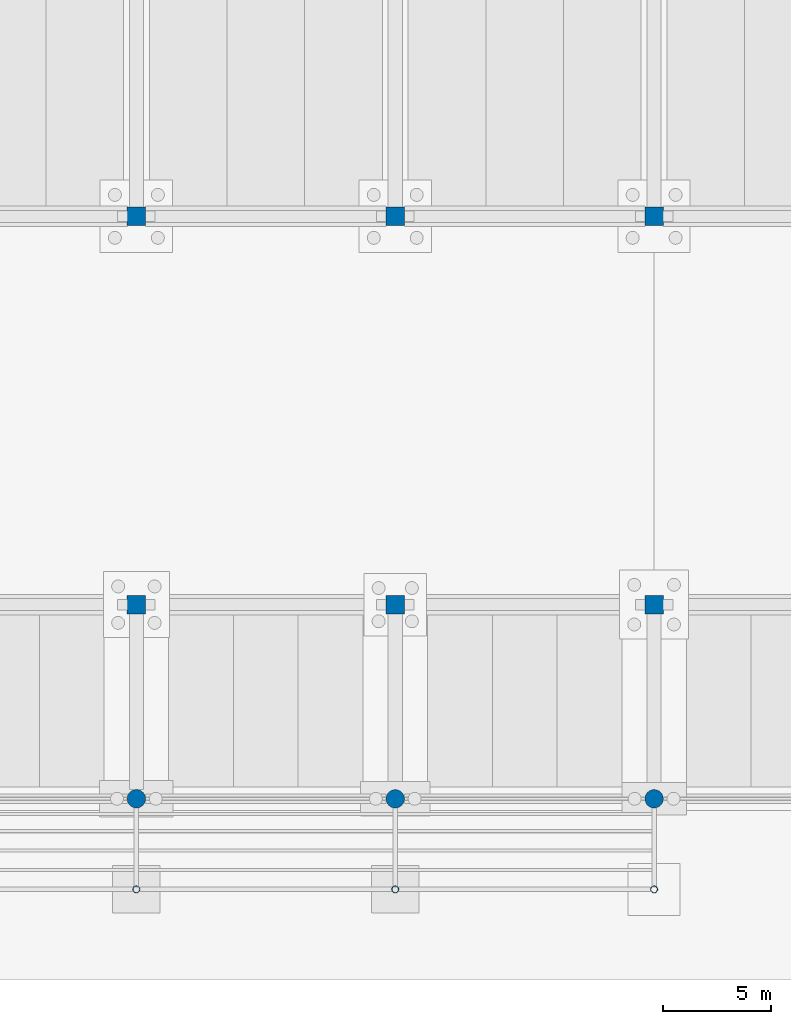
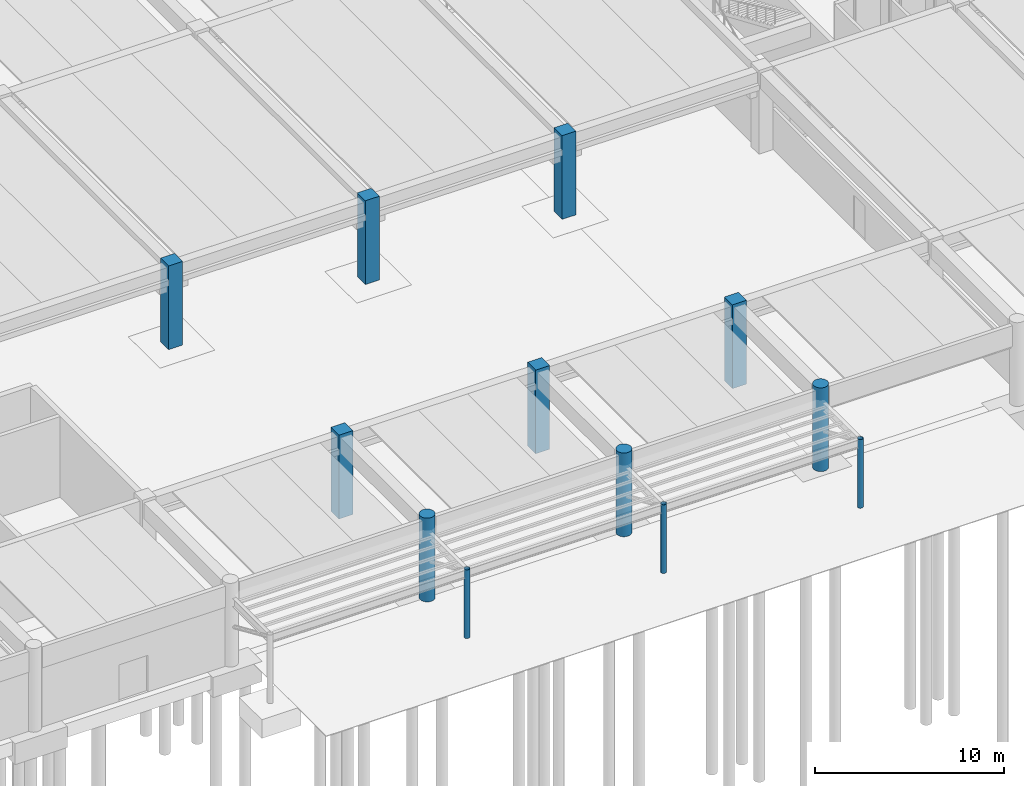
# One storey, part 7 of 59: 12 columns.
"""IFC4 building model written with IfcOpenShell, lengths in metres."""

from ifc_helpers import new_model, si_unit, direction, frame, origin, origin_2d, place, context, subcontext, project, spatial, rectangle, circle, hollow_circle, extrude, material, material_profile, profile_set, type_object, element, save


model = new_model("IFC4")

# Units and contexts
model_context = context("Model", 3, precision=1e-05, world=origin(), true_north=direction((0.0, 1.0)))
body_context = subcontext(model_context, "Body", "Model", "MODEL_VIEW")
ifc_project = project(units=[si_unit("LENGTHUNIT", "METRE"), si_unit("AREAUNIT", "SQUARE_METRE"), si_unit("VOLUMEUNIT", "CUBIC_METRE"), si_unit("PLANEANGLEUNIT", "RADIAN"), si_unit("MASSUNIT", "GRAM", prefix="KILO")], contexts=[model_context])

# Site, building, storey
site_placement = place(None, origin())
site = spatial("IfcSite", under=ifc_project, at=site_placement, CompositionType="ELEMENT")
building_placement = place(site_placement, origin())
building = spatial("IfcBuilding", under=site, at=building_placement, Name="Girod Span Mobility Hub", CompositionType="ELEMENT")
storey_placement = place(building_placement, origin())
storey = spatial("IfcBuildingStorey", under=building, at=storey_placement, Name="L00", CompositionType="ELEMENT", Elevation=0.0)

# Columns
ifc_material_1 = material(Name="Concrete C40/50", Category="concrete")
ifc_material_profile_1 = material_profile(ifc_material_1, rectangle(XDim=0.85009765625, YDim=0.85009765625, at=origin_2d()), Name="PC-COL-850X850")
ifc_profile_set_1 = profile_set([ifc_material_profile_1], Name="Concrete C40/50")
column_type_1 = type_object("IfcColumnType", Name="COL-PC-850X850", PredefinedType="COLUMN", material=ifc_profile_set_1)
for number, where, z_axis, x_axis, name in (
    (1, (36.0, 9.0, 0.0), (0.0, 0.0, 1.0), (1.0, 0.0, 0.0), "Column 4B L00"),
    (2, (36.0, 27.0, 0.0), (0.0, 0.0, 1.0), (1.0, 0.0, 0.0), "Column 4C L00"),
    (3, (48.0, 9.0, 0.0), (0.0, 0.0, 1.0), (1.0, 0.0, 0.0), "Column 5B L00"),
    (4, (48.0, 27.0, 0.0), (0.0, 0.0, 1.0), (1.0, 0.0, 0.0), "Column 5C L00"),
    (5, (60.0, 9.0, 0.0), (0.0, 0.0, 1.0), (1.0, 0.0, 0.0), "Column 6B L00"),
    (6, (60.0, 27.0, 0.0), (0.0, 0.0, 1.0), (1.0, 0.0, 0.0), "Column 6C L00"),
):
    element("IfcColumn", number, at=place(storey_placement, frame(where, z_axis=z_axis, x_axis=x_axis)), inside=storey, type_object=column_type_1, Name=name, PredefinedType="COLUMN", context=body_context, shape_type="SweptSolid", body=[
        extrude(rectangle(XDim=0.85009765625, YDim=0.85009765625, at=origin_2d()), origin(), (0.0, 0.0, 1.0), 5.39990234375),
    ])
ifc_material_2 = material(Name="Concrete C40/50", Category="concrete")
ifc_material_profile_2 = material_profile(ifc_material_2, circle(Radius=0.425048828125, at=origin_2d()), Name="PC-CIR-D850")
ifc_profile_set_2 = profile_set([ifc_material_profile_2], Name="Concrete C40/50")
column_type_2 = type_object("IfcColumnType", Name="COL-PC-D850", PredefinedType="COLUMN", material=ifc_profile_set_2)
for number, where, z_axis, x_axis, name in (
    (7, (36.0, 0.0, 0.0), (0.0, 0.0, 1.0), (1.0, 0.0, 0.0), "Column 4A L00"),
    (8, (48.0, 0.0, 0.0), (0.0, 0.0, 1.0), (1.0, 0.0, 0.0), "Column 5A L00"),
    (9, (60.0, 0.0, 0.0), (0.0, 0.0, 1.0), (1.0, 0.0, 0.0), "Column 6A L00"),
):
    element("IfcColumn", number, at=place(storey_placement, frame(where, z_axis=z_axis, x_axis=x_axis)), inside=storey, type_object=column_type_2, Name=name, PredefinedType="COLUMN", context=body_context, shape_type="SweptSolid", body=[
        extrude(circle(Radius=0.425048828125, at=origin_2d()), origin(), (0.0, 0.0, 1.0), 5.39990234375),
    ])
ifc_material_3 = material(Name="Steel HSS A500 Grade C", Category="steel")
ifc_material_profile_3 = material_profile(ifc_material_3, hollow_circle(Radius=0.162109375, WallThickness=0.01171875, at=origin_2d()), Name="HSS324X12.7")
ifc_profile_set_3 = profile_set([ifc_material_profile_3], Name="Steel HSS A500 Grade C")
column_type_3 = type_object("IfcColumnType", Name="COL-STL-HSS324", PredefinedType="COLUMN", material=ifc_profile_set_3)
for number, where, z_axis, x_axis, name in (
    (10, (36.0, -4.199951171875, 0.0), (0.0, 0.0, 1.0), (1.0, 0.0, 0.0), "Boulevard Canopy Column CN-2"),
    (11, (48.0, -4.199951171875, 0.0), (0.0, 0.0, 1.0), (1.0, 0.0, 0.0), "Boulevard Canopy Column CN-3"),
    (12, (60.0, -4.199951171875, 0.0), (0.0, 0.0, 1.0), (1.0, 0.0, 0.0), "Boulevard Canopy Column CN-4"),
):
    element("IfcColumn", number, at=place(storey_placement, frame(where, z_axis=z_axis, x_axis=x_axis)), inside=storey, type_object=column_type_3, Name=name, PredefinedType="COLUMN", context=body_context, shape_type="SweptSolid", body=[
        extrude(hollow_circle(Radius=0.162109375, WallThickness=0.01171875, at=origin_2d()), origin(), (0.0, 0.0, 1.0), 4.419921875),
    ])

save(model, "model.ifc")
